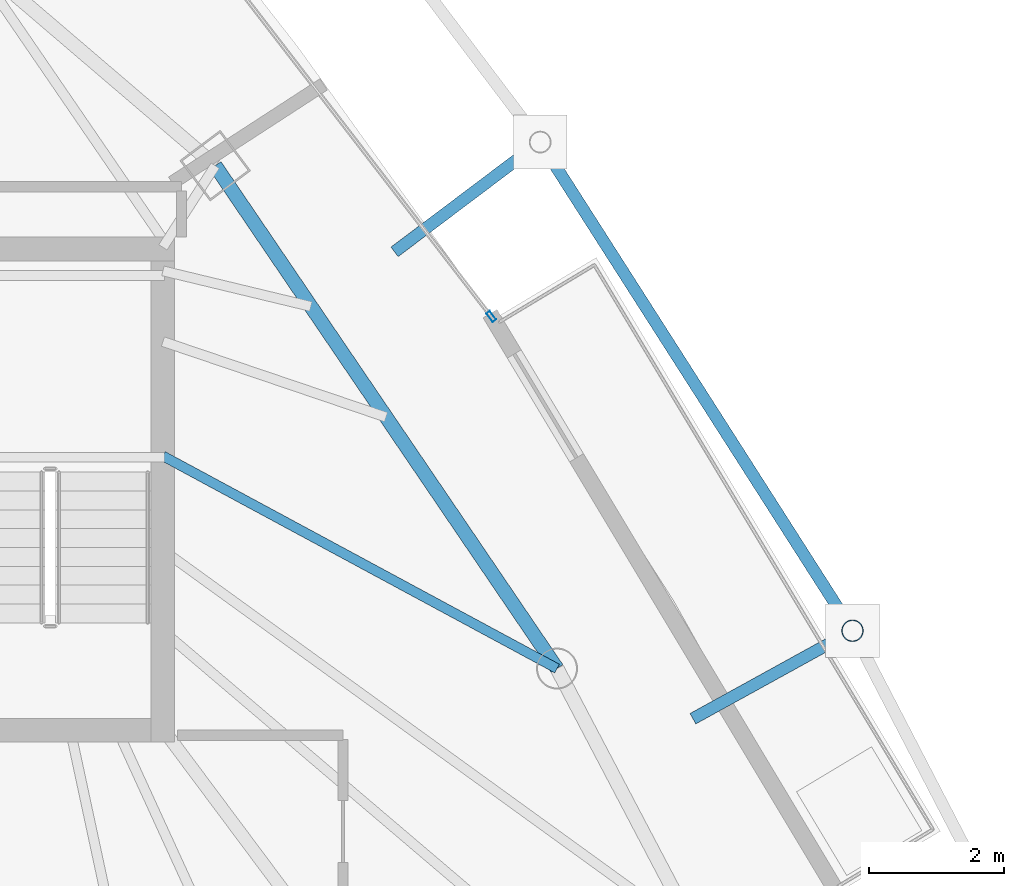
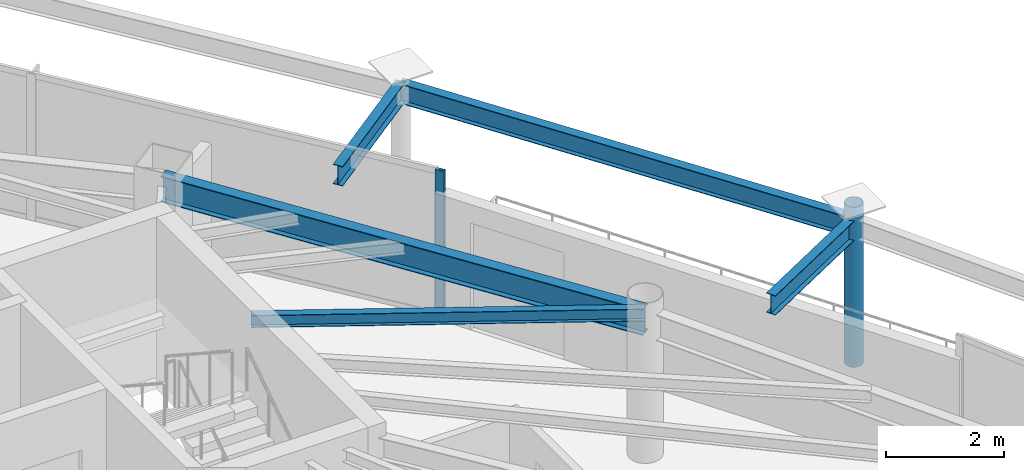
# One storey, part 20 of 30: 5 beams, 2 members, 1 element without a shape of its own.
"""IFC4 building model written with IfcOpenShell, lengths in metres."""

from ifc_helpers import new_model, si_unit, direction, frame, origin, origin_2d, place, context, subcontext, project, spatial, hollow_rectangle, hollow_circle, i_section, extrude, material, layer, layer_set, material_profile, profile_set, type_object, element, aggregate, save


model = new_model("IFC4")

# Units and contexts
model_context = context("Model", 3, precision=1e-05, world=origin(), true_north=direction((0.0, 1.0)))
body_context = subcontext(model_context, "Body", "Model", "MODEL_VIEW")
ifc_project = project(units=[si_unit("LENGTHUNIT", "METRE"), si_unit("AREAUNIT", "SQUARE_METRE"), si_unit("VOLUMEUNIT", "CUBIC_METRE"), si_unit("PLANEANGLEUNIT", "RADIAN"), si_unit("MASSUNIT", "GRAM", prefix="KILO")], contexts=[model_context])

# Site, building, storey
site_placement = place(None, origin())
site = spatial("IfcSite", under=ifc_project, at=site_placement, CompositionType="ELEMENT")
building_placement = place(site_placement, origin())
building = spatial("IfcBuilding", under=site, at=building_placement, Name="Orvanel Arch Residences", CompositionType="ELEMENT")
storey_placement = place(building_placement, frame((0.0, 0.0, 232.699951171875)))
storey = spatial("IfcBuildingStorey", under=building, at=storey_placement, Name="L66", CompositionType="ELEMENT", Elevation=232.699951171875)

# Beam
ifc_material_1 = material(Name="Structural steel AS/NZS 3679.1 Grade 300 (300 MPa)", Category="steel")
ifc_material_profile_1 = material_profile(ifc_material_1, i_section(OverallWidth=0.14599609375, OverallDepth=0.251953125, WebThickness=0.006103515625, FlangeThickness=0.008544921875, at=origin_2d()), Name="250UB31.4")
ifc_profile_set_1 = profile_set([ifc_material_profile_1], Name="Structural steel AS/NZS 3679.1 Grade 300 (300 MPa)")
beam_type_1 = type_object("IfcBeamType", Name="BJ-250UB", PredefinedType="JOIST", material=ifc_profile_set_1)
beam_1_placement = place(storey_placement, frame((39.574951171875, 30.800048828125, 2.89404296875), z_axis=(0.880111494021, -0.474767056664, 0.0), x_axis=(0.474767056664, 0.880111494021, 0.0)))
element("IfcBeam", 1, at=beam_1_placement, inside=storey, type_object=beam_type_1, Name="L66 NE Wing Floor Joist", PredefinedType="JOIST", context=body_context, shape_type="SweptSolid", body=[
    extrude(i_section(OverallWidth=0.14599609375, OverallDepth=0.251953125, WebThickness=0.006103515625, FlangeThickness=0.008544921875, at=origin_2d()), origin(), (0.0, 0.0, 1.0), 6.653564453125),
])

# Curtain wall, member
ifc_material_2 = material(Name="Bronze-anodised aluminium AA6063-T6", Category="aluminium")
ifc_layer = layer(ifc_material_2, 0.175048828125)
ifc_layer_set = layer_set([ifc_layer], Name="Bronze-anodised aluminium AA6063-T6")
curtain_wall_type = type_object("IfcCurtainWallType", Name="CW4-HI-SYS", PredefinedType="NOTDEFINED", material=ifc_layer_set)
curtain_wall_placement = place(storey_placement, origin())
curtain_wall = element("IfcCurtainWall", 2, at=curtain_wall_placement, inside=storey, type_object=curtain_wall_type, Name="L66 CW4-HI-SYS Unitised Curtain Wall", PredefinedType="NOTDEFINED")
ifc_material_profile_2 = material_profile(ifc_material_2, hollow_rectangle(XDim=0.06494140625, YDim=0.159912109375, WallThickness=0.00390625, at=origin_2d()), Name="ALU160x65x4")
ifc_profile_set_2 = profile_set([ifc_material_profile_2], Name="Bronze-anodised aluminium AA6063-T6")
member_type_1 = type_object("IfcMemberType", Name="MUL-160x65", PredefinedType="MULLION", material=ifc_profile_set_2)
member_1_placement = place(storey_placement, frame((44.4541015625, 32.871826171875, 0.0), z_axis=(0.0, 0.0, 1.0), x_axis=(-0.791845950951, -0.610720877294, 0.0)))
member_1 = element("IfcMember", 3, at=member_1_placement, type_object=member_type_1, Name="CW-S4 mullion 1", PredefinedType="MULLION", context=body_context, shape_type="SweptSolid", body=[
    extrude(hollow_rectangle(XDim=0.06494140625, YDim=0.159912109375, WallThickness=0.00390625, at=origin_2d()), origin(), (0.0, 0.0, 1.0), 3.02001953125),
])
aggregate(curtain_wall, [member_1])

# Beams
ifc_material_profile_3 = material_profile(ifc_material_1, i_section(OverallWidth=0.177978515625, OverallDepth=0.406005859375, WebThickness=0.0078125, FlangeThickness=0.0126953125, at=origin_2d()), Name="410UB59.7")
ifc_profile_set_3 = profile_set([ifc_material_profile_3], Name="Structural steel AS/NZS 3679.1 Grade 300 (300 MPa)")
beam_type_2 = type_object("IfcBeamType", Name="OB-410UB-EXT", PredefinedType="SPANDREL", material=ifc_profile_set_3)
beam_2_placement = place(storey_placement, frame((47.449951171875, 26.89599609375, 2.817138671875), z_axis=(0.875781466114, 0.482707803553, 0.0), x_axis=(-0.482707803553, 0.875781466114, 0.0)))
element("IfcBeam", 4, at=beam_2_placement, inside=storey, type_object=beam_type_2, Name="L66 Outer Frame Radial Tie Beam 10", PredefinedType="SPANDREL", context=body_context, shape_type="SweptSolid", body=[
    extrude(i_section(OverallWidth=0.177978515625, OverallDepth=0.406005859375, WebThickness=0.0078125, FlangeThickness=0.0126953125, at=origin_2d()), origin(), (0.0, 0.0, 1.0), 2.70751953125),
])
beam_3_placement = place(storey_placement, frame((49.821044921875, 28.202880859375, 2.817138671875), z_axis=(-0.538537387741, 0.84260161524, 0.0), x_axis=(-0.84260161524, -0.538537387741, 0.0)))
element("IfcBeam", 5, at=beam_3_placement, inside=storey, type_object=beam_type_2, Name="L66 Outer Perimeter Floor Ring Beam 10", PredefinedType="SPANDREL", context=body_context, shape_type="SweptSolid", body=[
    extrude(i_section(OverallWidth=0.177978515625, OverallDepth=0.406005859375, WebThickness=0.0078125, FlangeThickness=0.0126953125, at=origin_2d()), origin(), (0.0, 0.0, 1.0), 8.6162109375),
])
beam_4_placement = place(storey_placement, frame((43.01611328125, 33.83203125, 2.817138671875), z_axis=(0.798711863477, 0.601713685353, 0.0), x_axis=(-0.601713685353, 0.798711863477, 0.0)))
element("IfcBeam", 6, at=beam_4_placement, inside=storey, type_object=beam_type_2, Name="L66 Outer Frame Radial Tie Beam 11", PredefinedType="SPANDREL", context=body_context, shape_type="SweptSolid", body=[
    extrude(i_section(OverallWidth=0.177978515625, OverallDepth=0.406005859375, WebThickness=0.0078125, FlangeThickness=0.0126953125, at=origin_2d()), origin(), (0.0, 0.0, 1.0), 2.71044921875),
])
ifc_material_profile_4 = material_profile(ifc_material_1, i_section(OverallWidth=0.208984375, OverallDepth=0.532958984375, WebThickness=0.01025390625, FlangeThickness=0.015625, at=origin_2d()), Name="530UB92.4")
ifc_profile_set_4 = profile_set([ifc_material_profile_4], Name="Structural steel AS/NZS 3679.1 Grade 300 (300 MPa)")
beam_type_3 = type_object("IfcBeamType", Name="SP-530UB", PredefinedType="SPANDREL", material=ifc_profile_set_4)
beam_5_placement = place(storey_placement, frame((45.430908203125, 27.64111328125, 2.7529296875), z_axis=(-0.562154793153, 0.827032035978, 0.0), x_axis=(-0.827032035978, -0.562154793153, 0.0)))
element("IfcBeam", 7, at=beam_5_placement, inside=storey, type_object=beam_type_3, Name="L66 Perimeter Spandrel Beam 08", PredefinedType="SPANDREL", context=body_context, shape_type="SweptSolid", body=[
    extrude(i_section(OverallWidth=0.208984375, OverallDepth=0.532958984375, WebThickness=0.01025390625, FlangeThickness=0.015625, at=origin_2d()), origin(), (0.0, 0.0, 1.0), 9.03466796875),
])

# Member
ifc_material_3 = material(Name="Structural steel AS/NZS 1163 C350L0 (Grade 350)", Category="steel")
ifc_material_profile_5 = material_profile(ifc_material_3, hollow_circle(Radius=0.162109375, WallThickness=0.0126953125, at=origin_2d()), Name="CHS324x12.7")
ifc_profile_set_5 = profile_set([ifc_material_profile_5], Name="Structural steel AS/NZS 1163 C350L0 (Grade 350)")
member_type_2 = type_object("IfcMemberType", Name="ST-324CHS-EXT", PredefinedType="STRUT", material=ifc_profile_set_5)
member_2_placement = place(storey_placement, frame((49.821044921875, 28.202880859375, 0.0), z_axis=(0.0, 0.0, 1.0), x_axis=(1.0, 0.0, 0.0)))
element("IfcMember", 8, at=member_2_placement, inside=storey, type_object=member_type_2, Name="L66 Outer Perimeter Frame Post 10", PredefinedType="STRUT", context=body_context, shape_type="SweptSolid", body=[
    extrude(hollow_circle(Radius=0.162109375, WallThickness=0.0126953125, at=origin_2d()), origin(), (0.0, 0.0, 1.0), 3.300048828125),
])

save(model, "model.ifc")
